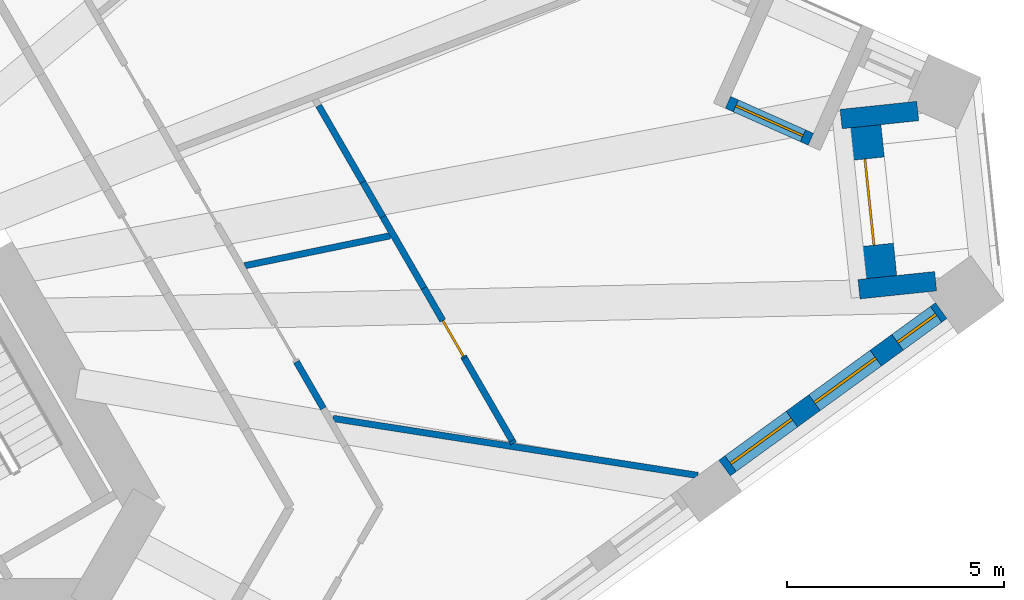
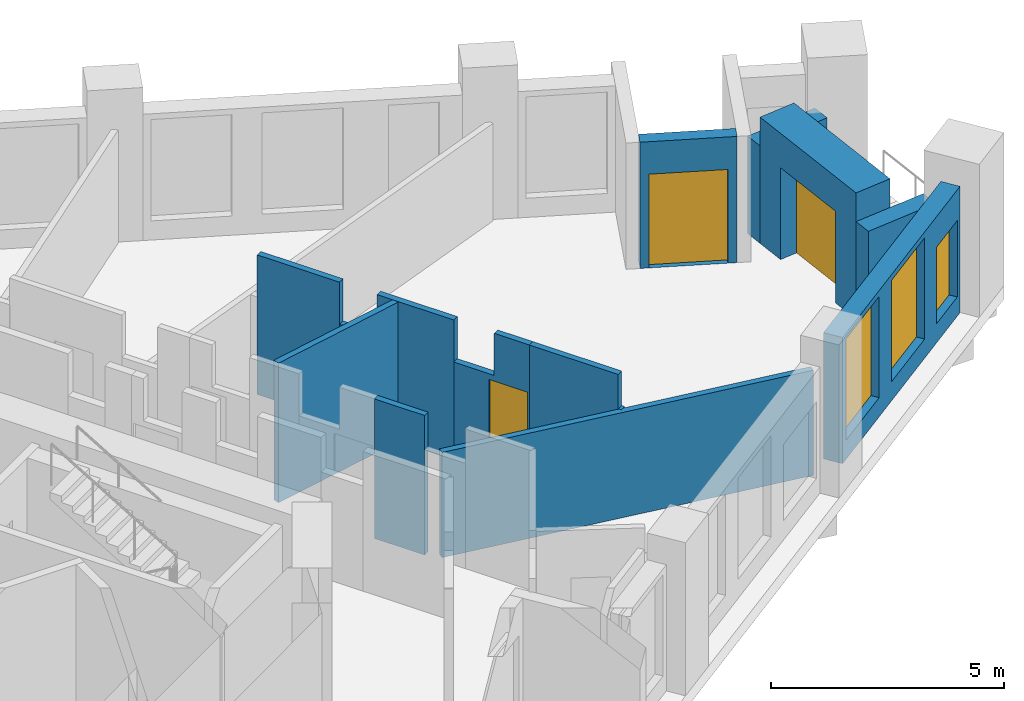
# One storey, part 6 of 14: 14 walls, 3 doors, 3 windows, 6 openings.
"""IFC4 building model written with IfcOpenShell, lengths in metres."""

from ifc_helpers import new_model, si_unit, direction, frame, frame_2d, origin, place, context, subcontext, project, spatial, polyline, rectangle, outline, extrude, material, layer, layer_set, type_object, element, fill, save


model = new_model("IFC4")

# Units and contexts
model_context = context("Model", 3, precision=1e-05, world=origin(), true_north=direction((0.0, 1.0)))
body_context = subcontext(model_context, "Body", "Model", "MODEL_VIEW")
ifc_project = project(units=[si_unit("LENGTHUNIT", "METRE"), si_unit("AREAUNIT", "SQUARE_METRE"), si_unit("VOLUMEUNIT", "CUBIC_METRE"), si_unit("PLANEANGLEUNIT", "RADIAN"), si_unit("MASSUNIT", "GRAM", prefix="KILO")], contexts=[model_context])

# Site, building, storey
site_placement = place(None, origin())
site = spatial("IfcSite", under=ifc_project, at=site_placement, CompositionType="ELEMENT")
building_placement = place(site_placement, origin())
building = spatial("IfcBuilding", under=site, at=building_placement, Name="Tramontana Tower", CompositionType="ELEMENT")
storey_placement = place(building_placement, frame((0.0, 0.0, 166.800048828125)))
storey = spatial("IfcBuildingStorey", under=building, at=storey_placement, Name="L38", CompositionType="ELEMENT", Elevation=166.800048828125)

# Wall, openings, windows
ifc_material_1 = material(Name="Precast concrete 60 MPa", Category="concrete")
ifc_layer_1 = layer(ifc_material_1, 0.449951171875)
ifc_layer_set_1 = layer_set([ifc_layer_1], Name="Precast concrete 60 MPa, 450 mm")
wall_type_1 = type_object("IfcWallType", Name="EW1 Stone-faced precast wall 450", PredefinedType="SOLIDWALL", material=ifc_layer_set_1)
wall_1_placement = place(storey_placement, frame((23.159423828125, -3.3525390625, 0.0), z_axis=(0.0, 0.0, 1.0), x_axis=(0.809005790194, 0.587800673215, 0.0)))
wall_1 = element("IfcWall", 1, at=wall_1_placement, inside=storey, type_object=wall_type_1, Name="External wall L38 face 1 bay 6", PredefinedType="SOLIDWALL", context=body_context, shape_type="SweptSolid", body=[
    extrude(rectangle(XDim=6.182861328125, YDim=0.449951171875, at=frame_2d((3.09130859375, 0.0))), origin(), (0.0, 0.0, 1.0), 3.300048828125),
])
opening_1_placement = place(wall_1_placement, frame((0.172119140625, 0.0, 0.5)))
opening_1 = element("IfcOpeningElement", 2, at=opening_1_placement, cuts=wall_1, Name="Opening M2", PredefinedType="OPENING", context=body_context, shape_type="SweptSolid", body=[
    extrude(rectangle(XDim=1.75, YDim=2.64990234375, at=frame_2d((0.875, 1.324951171875))), frame((0.0, 0.23486328125, 0.0), z_axis=(0.0, -1.0, 0.0), x_axis=(1.0, 0.0, 0.0)), (0.0, 0.0, 1.0), 0.469970703125),
])
opening_2_placement = place(wall_1_placement, frame((2.56640625, 0.0, 0.5)))
opening_2 = element("IfcOpeningElement", 3, at=opening_2_placement, cuts=wall_1, Name="Opening M2", PredefinedType="OPENING", context=body_context, shape_type="SweptSolid", body=[
    extrude(rectangle(XDim=1.75, YDim=2.64990234375, at=frame_2d((0.875, 1.324951171875))), frame((0.0, 0.23486328125, 0.0), z_axis=(0.0, -1.0, 0.0), x_axis=(1.0, 0.0, 0.0)), (0.0, 0.0, 1.0), 0.469970703125),
])
opening_3_placement = place(wall_1_placement, frame((4.935791015625, 0.0, 0.5)))
opening_3 = element("IfcOpeningElement", 4, at=opening_3_placement, cuts=wall_1, Name="Opening N2L", PredefinedType="OPENING", context=body_context, shape_type="SweptSolid", body=[
    extrude(rectangle(XDim=1.10009765625, YDim=2.0, at=frame_2d((0.550048828125, 1.0))), frame((0.0, 0.23486328125, 0.0), z_axis=(0.0, -1.0, 0.0), x_axis=(1.0, 0.0, 0.0)), (0.0, 0.0, 1.0), 0.469970703125),
])
ifc_material_2 = material(Name="Aluminum frame, double glazing unit", Category="aluminium")
window_type_1 = type_object("IfcWindowType", Name="M2 Window 1.75 x 2.65", PartitioningType="SINGLE_PANEL", PredefinedType="WINDOW", material=ifc_material_2)
window_1_placement = place(opening_1_placement, origin())
window_1 = element("IfcWindow", 5, at=window_1_placement, inside=storey, type_object=window_type_1, Name="Window M2 L38 face 1 module 16", OverallHeight=2.64990234375, OverallWidth=1.75, PartitioningType="SINGLE_PANEL", PredefinedType="WINDOW", context=body_context, shape_type="SweptSolid", body=[
    extrude(rectangle(XDim=1.75, YDim=2.64990234375, at=frame_2d((0.875, 1.324951171875))), frame((0.0, 0.030029296875, 0.0), z_axis=(0.0, -1.0, 0.0), x_axis=(1.0, 0.0, 0.0)), (0.0, 0.0, 1.0), 0.06005859375),
])
fill(opening_1, window_1)
window_2_placement = place(opening_2_placement, origin())
window_2 = element("IfcWindow", 6, at=window_2_placement, inside=storey, type_object=window_type_1, Name="Window M2 L38 face 1 module 17", OverallHeight=2.64990234375, OverallWidth=1.75, PartitioningType="SINGLE_PANEL", PredefinedType="WINDOW", context=body_context, shape_type="SweptSolid", body=[
    extrude(rectangle(XDim=1.75, YDim=2.64990234375, at=frame_2d((0.875, 1.324951171875))), frame((0.0, 0.030029296875, 0.0), z_axis=(0.0, -1.0, 0.0), x_axis=(1.0, 0.0, 0.0)), (0.0, 0.0, 1.0), 0.06005859375),
])
fill(opening_2, window_2)
ifc_material_3 = material(Name="Aluminum frame, double glazing unit", Category="aluminium")
window_type_2 = type_object("IfcWindowType", Name="N2L Window 1.1 x 2", PartitioningType="SINGLE_PANEL", PredefinedType="WINDOW", material=ifc_material_3)
window_3_placement = place(opening_3_placement, origin())
window_3 = element("IfcWindow", 7, at=window_3_placement, inside=storey, type_object=window_type_2, Name="Window N2L L38 face 1 module 18", OverallHeight=2.0, OverallWidth=1.10009765625, PartitioningType="SINGLE_PANEL", PredefinedType="WINDOW", context=body_context, shape_type="SweptSolid", body=[
    extrude(rectangle(XDim=1.10009765625, YDim=2.0, at=frame_2d((0.550048828125, 1.0))), frame((0.0, 0.030029296875, 0.0), z_axis=(0.0, -1.0, 0.0), x_axis=(1.0, 0.0, 0.0)), (0.0, 0.0, 1.0), 0.06005859375),
])
fill(opening_3, window_3)

# Walls
wall_2_placement = place(storey_placement, frame((27.619384765625, 4.888916015625, 0.0), z_axis=(0.0, 0.0, 1.0), x_axis=(-0.994517477618, -0.104570486815, 0.0)))
element("IfcWall", 8, at=wall_2_placement, inside=storey, type_object=wall_type_1, Name="Corner loggia side wall L38 K42l", PredefinedType="SOLIDWALL", context=body_context, shape_type="SweptSolid", body=[
    extrude(rectangle(XDim=1.779052734375, YDim=0.449951171875, at=frame_2d((0.8896484375, 0.0))), origin(), (0.0, 0.0, 1.0), 2.550048828125),
])
wall_3_placement = place(storey_placement, frame((28.032470703125, 0.96044921875, 0.0), z_axis=(0.0, 0.0, 1.0), x_axis=(-0.994518977937, -0.104556217051, 0.0)))
element("IfcWall", 9, at=wall_3_placement, inside=storey, type_object=wall_type_1, Name="Corner loggia side wall L38 K42r", PredefinedType="SOLIDWALL", context=body_context, shape_type="SweptSolid", body=[
    extrude(rectangle(XDim=1.779296875, YDim=0.449951171875, at=frame_2d((0.8896484375, 0.0))), origin(), (0.0, 0.0, 1.0), 2.550048828125),
])

# Wall, opening, door
ifc_material_4 = material(Name="Precast concrete 60 MPa", Category="concrete")
ifc_layer_2 = layer(ifc_material_4, 0.89990234375)
ifc_layer_set_2 = layer_set([ifc_layer_2], Name="EW2 Stone-faced corner loggia wall 900")
wall_type_2 = type_object("IfcWallType", Name="EW2 Stone-faced corner loggia wall 900", PredefinedType="SOLIDWALL", material=ifc_layer_set_2)
wall_4_placement = place(storey_placement, frame((26.321044921875, 4.526123046875, 0.0), z_axis=(0.0, 0.0, 1.0), x_axis=(0.104557701916, -0.994518821828, 0.0)))
wall_4 = element("IfcWall", 10, at=wall_4_placement, inside=storey, type_object=wall_type_2, Name="Corner loggia wall L38 K42", PredefinedType="SOLIDWALL", context=body_context, shape_type="SweptSolid", body=[
    extrude(rectangle(XDim=3.500244140625, YDim=0.89990234375, at=frame_2d((1.75, 0.0))), origin(), (0.0, 0.0, 1.0), 3.300048828125),
])
opening_4_placement = place(wall_4_placement, frame((0.75, 0.0, 0.0)))
opening_4 = element("IfcOpeningElement", 11, at=opening_4_placement, cuts=wall_4, Name="Opening BD-42C", PredefinedType="OPENING", context=body_context, shape_type="SweptSolid", body=[
    extrude(rectangle(XDim=2.0, YDim=2.39990234375, at=frame_2d((1.0, 1.199951171875))), frame((0.0, 0.4599609375, 0.0), z_axis=(0.0, -1.0, 0.0), x_axis=(1.0, 0.0, 0.0)), (0.0, 0.0, 1.0), 0.919921875),
])
ifc_material_5 = material(Name="Aluminum frame, double glazing unit", Category="aluminium")
door_type_1 = type_object("IfcDoorType", Name="BC1 Sliding door 2 x 2.4", OperationType="SLIDING_TO_LEFT", PredefinedType="DOOR", material=ifc_material_5)
door_1_placement = place(opening_4_placement, origin())
door_1 = element("IfcDoor", 12, at=door_1_placement, inside=storey, type_object=door_type_1, Name="Corner loggia door L38 K42", OperationType="SLIDING_TO_LEFT", OverallHeight=2.39990234375, OverallWidth=2.0, PredefinedType="DOOR", context=body_context, shape_type="SweptSolid", body=[
    extrude(rectangle(XDim=2.0, YDim=2.39990234375, at=frame_2d((1.0, 1.199951171875))), frame((0.0, 0.02490234375, 0.0), z_axis=(0.0, -1.0, 0.0), x_axis=(1.0, 0.0, 0.0)), (0.0, 0.0, 1.0), 0.050048828125),
])
fill(opening_4, door_1)

ifc_material_6 = material(Name="Precast concrete 60 MPa", Category="concrete")
ifc_layer_3 = layer(ifc_material_6, 0.300048828125)
ifc_layer_set_3 = layer_set([ifc_layer_3], Name="LW1 Stone-faced loggia wall 300")
wall_type_3 = type_object("IfcWallType", Name="LW1 Stone-faced loggia wall 300", PredefinedType="SOLIDWALL", material=ifc_layer_set_3)
wall_5_placement = place(storey_placement, frame((25.15185546875, 4.236083984375, 0.0), z_axis=(0.0, 0.0, 1.0), x_axis=(-0.913556597974, 0.40671162056, 0.0)))
wall_5 = element("IfcWall", 13, at=wall_5_placement, inside=storey, type_object=wall_type_3, Name="Loggia wall L38 G4S2.1", PredefinedType="SOLIDWALL", context=body_context, shape_type="SweptSolid", body=[
    extrude(rectangle(XDim=2.094482421875, YDim=0.300048828125, at=frame_2d((1.04736328125, 0.0))), origin(), (0.0, 0.0, 1.0), 3.300048828125),
])
opening_5_placement = place(wall_5_placement, frame((0.197265625, 0.0, 0.0)))
opening_5 = element("IfcOpeningElement", 14, at=opening_5_placement, cuts=wall_5, Name="Opening BD-4S2-01", PredefinedType="OPENING", context=body_context, shape_type="SweptSolid", body=[
    extrude(rectangle(XDim=1.699951171875, YDim=2.449951171875, at=frame_2d((0.85009765625, 1.22509765625))), frame((0.0, 0.159912109375, 0.0), z_axis=(0.0, -1.0, 0.0), x_axis=(1.0, 0.0, 0.0)), (0.0, 0.0, 1.0), 0.320068359375),
])
ifc_material_7 = material(Name="Aluminum frame, double glazing unit", Category="aluminium")
door_type_2 = type_object("IfcDoorType", Name="BD2 Sliding door 1.7 x 2.45", OperationType="SLIDING_TO_LEFT", PredefinedType="DOOR", material=ifc_material_7)
door_2_placement = place(opening_5_placement, origin())
door_2 = element("IfcDoor", 15, at=door_2_placement, inside=storey, type_object=door_type_2, Name="Loggia door L38 G4S2.1", OperationType="SLIDING_TO_LEFT", OverallHeight=2.449951171875, OverallWidth=1.699951171875, PredefinedType="DOOR", context=body_context, shape_type="SweptSolid", body=[
    extrude(rectangle(XDim=1.699951171875, YDim=2.449951171875, at=frame_2d((0.85009765625, 1.22509765625))), frame((0.0, 0.02490234375, 0.0), z_axis=(0.0, -1.0, 0.0), x_axis=(1.0, 0.0, 0.0)), (0.0, 0.0, 1.0), 0.050048828125),
])
fill(opening_5, door_2)

# Walls
ifc_material_8 = material(Name="Gypsum board partition")
ifc_layer_4 = layer(ifc_material_8, 0.14990234375)
ifc_layer_set_4 = layer_set([ifc_layer_4], Name="PARTITION 150")
wall_type_4 = type_object("IfcWallType", Name="PARTITION 150", PredefinedType="PARTITIONING", material=ifc_layer_set_4)
wall_6_placement = place(storey_placement, frame((13.279052734375, -0.900146484375, 0.0), z_axis=(0.0, 0.0, 1.0), x_axis=(0.500090980937, -0.865972869544, 0.0)))
element("IfcWall", 16, at=wall_6_placement, inside=storey, type_object=wall_type_4, Name="Wall v40-pw24-9", PredefinedType="PARTITIONING", context=body_context, shape_type="SweptSolid", body=[
    extrude(rectangle(XDim=1.242431640625, YDim=0.14990234375, at=frame_2d((0.62109375, 0.0))), origin(), (0.0, 0.0, 1.0), 3.64990234375),
])
wall_7_placement = place(storey_placement, frame((12.085205078125, 1.317626953125, 0.0), z_axis=(0.0, 0.0, 1.0), x_axis=(0.979403580684, 0.201912421962, 0.0)))
element("IfcWall", 17, at=wall_7_placement, inside=storey, type_object=wall_type_4, Name="Wall v40-pw30", PredefinedType="PARTITIONING", context=body_context, shape_type="SweptSolid", body=[
    extrude(rectangle(XDim=3.42431640625, YDim=0.14990234375, at=frame_2d((1.712158203125, 0.0))), origin(), (0.0, 0.0, 1.0), 3.64990234375),
])
wall_8_placement = place(storey_placement, frame((13.792724609375, 5.010498046875, 0.0), z_axis=(0.0, 0.0, 1.0), x_axis=(0.499957811549, -0.866049759928, 0.0)))
element("IfcWall", 18, at=wall_8_placement, inside=storey, type_object=wall_type_4, Name="Wall v40-pw31-1", PredefinedType="PARTITIONING", context=body_context, shape_type="SweptSolid", body=[
    extrude(rectangle(XDim=2.035400390625, YDim=0.14990234375, at=frame_2d((1.017578125, 0.0))), origin(), (0.0, 0.0, 1.0), 3.64990234375),
])
wall_9_placement = place(storey_placement, frame((14.810302734375, 3.247802734375, 0.0), z_axis=(0.0, 0.0, 1.0), x_axis=(0.499935264145, -0.866062775822, 0.0)))
element("IfcWall", 19, at=wall_9_placement, inside=storey, type_object=wall_type_4, Name="Wall v40-pw31-2", PredefinedType="PARTITIONING", context=body_context, shape_type="SweptSolid", body=[
    extrude(rectangle(XDim=0.9267578125, YDim=0.14990234375, at=frame_2d((0.46337890625, 0.0))), origin(), (0.0, 0.0, 1.0), 2.550048828125),
])
wall_10_placement = place(storey_placement, frame((15.273681640625, 2.445068359375, 0.0), z_axis=(0.0, 0.0, 1.0), x_axis=(0.499971120268, -0.866042076863, 0.0)))
element("IfcWall", 20, at=wall_10_placement, inside=storey, type_object=wall_type_4, Name="Wall v40-pw31-3", PredefinedType="PARTITIONING", context=body_context, shape_type="SweptSolid", body=[
    extrude(rectangle(XDim=1.89794921875, YDim=0.14990234375, at=frame_2d((0.948974609375, 0.0))), origin(), (0.0, 0.0, 1.0), 3.64990234375),
])

# Wall, opening, door
wall_11_placement = place(storey_placement, frame((16.22265625, 0.80126953125, 0.0), z_axis=(0.0, 0.0, 1.0), x_axis=(0.500061949227, -0.865989634427, 0.0)))
wall_11 = element("IfcWall", 21, at=wall_11_placement, inside=storey, type_object=wall_type_4, Name="Wall v40-pw31-4", PredefinedType="PARTITIONING", context=body_context, shape_type="SweptSolid", body=[
    extrude(outline(polyline([(0.0, 0.0), (1.867431640625, 0.0), (1.867431640625, 3.64990234375), (0.997802734375, 3.64990234375), (0.997802734375, 2.550048828125), (0.0, 2.550048828125), (0.0, 0.0)])), frame((0.0, 0.074951171875, 0.0), z_axis=(0.0, -1.0, 0.0), x_axis=(1.0, 0.0, 0.0)), (0.0, 0.0, 1.0), 0.14990234375),
])
opening_6_placement = place(wall_11_placement, frame((0.867431640625, 0.0, 0.0)))
opening_6 = element("IfcOpeningElement", 22, at=opening_6_placement, cuts=wall_11, Name="Opening B4A-21", PredefinedType="OPENING", context=body_context, shape_type="SweptSolid", body=[
    extrude(rectangle(XDim=0.949951171875, YDim=2.39990234375, at=frame_2d((0.47509765625, 1.199951171875))), frame((0.0, 0.0849609375, 0.0), z_axis=(0.0, -1.0, 0.0), x_axis=(1.0, 0.0, 0.0)), (0.0, 0.0, 1.0), 0.169921875),
])
ifc_material_9 = material(Name="Painted timber", Category="wood")
door_type_3 = type_object("IfcDoorType", Name="DOOR ROOM 950", OperationType="SINGLE_SWING_LEFT", PredefinedType="DOOR", material=ifc_material_9)
door_3_placement = place(opening_6_placement, origin())
door_3 = element("IfcDoor", 23, at=door_3_placement, inside=storey, type_object=door_type_3, Name="Door B4A-21", OperationType="SINGLE_SWING_LEFT", OverallHeight=2.39990234375, OverallWidth=0.949951171875, PredefinedType="DOOR", context=body_context, shape_type="SweptSolid", body=[
    extrude(rectangle(XDim=0.949951171875, YDim=2.39990234375, at=frame_2d((0.47509765625, 1.199951171875))), frame((0.0, 0.02490234375, 0.0), z_axis=(0.0, -1.0, 0.0), x_axis=(1.0, 0.0, 0.0)), (0.0, 0.0, 1.0), 0.050048828125),
])
fill(opening_6, door_3)

# Walls
wall_12_placement = place(storey_placement, frame((17.156494140625, -0.81591796875, 0.0), z_axis=(0.0, 0.0, 1.0), x_axis=(0.500023898135, -0.86601160575, 0.0)))
element("IfcWall", 24, at=wall_12_placement, inside=storey, type_object=wall_type_4, Name="Wall v40-pw31-5", PredefinedType="PARTITIONING", context=body_context, shape_type="SweptSolid", body=[
    extrude(rectangle(XDim=2.19677734375, YDim=0.14990234375, at=frame_2d((1.098388671875, 0.0))), origin(), (0.0, 0.0, 1.0), 3.64990234375),
])
wall_13_placement = place(storey_placement, frame((18.2548828125, -2.71826171875, 0.0), z_axis=(0.0, 0.0, 1.0), x_axis=(0.500005339912, -0.866022320763, 0.0)))
element("IfcWall", 25, at=wall_13_placement, inside=storey, type_object=wall_type_4, Name="Wall v40-pw31-6", PredefinedType="PARTITIONING", context=body_context, shape_type="SweptSolid", body=[
    extrude(rectangle(XDim=0.07470703125, YDim=0.14990234375, at=frame_2d((0.037353515625, 0.0))), origin(), (0.0, 0.0, 1.0), 2.75),
])
wall_14_placement = place(storey_placement, frame((22.541748046875, -3.523193359375, 0.0), z_axis=(0.0, 0.0, 1.0), x_axis=(-0.988002612028, 0.154437167243, 0.0)))
element("IfcWall", 26, at=wall_14_placement, inside=storey, type_object=wall_type_4, Name="Wall v40-pw36-0", PredefinedType="PARTITIONING", context=body_context, shape_type="SweptSolid", body=[
    extrude(rectangle(XDim=8.52392578125, YDim=0.14990234375, at=frame_2d((4.261962890625, 0.0))), origin(), (0.0, 0.0, 1.0), 2.75),
])

save(model, "model.ifc")
